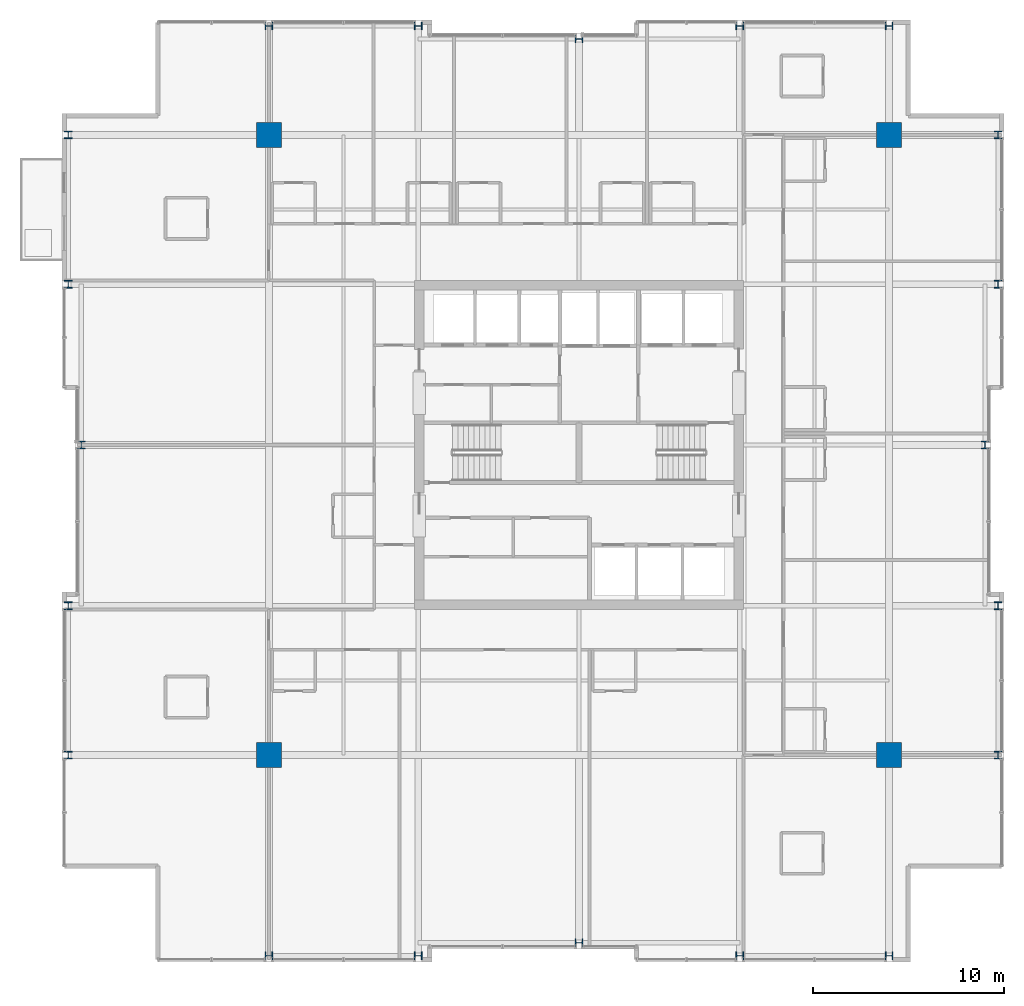
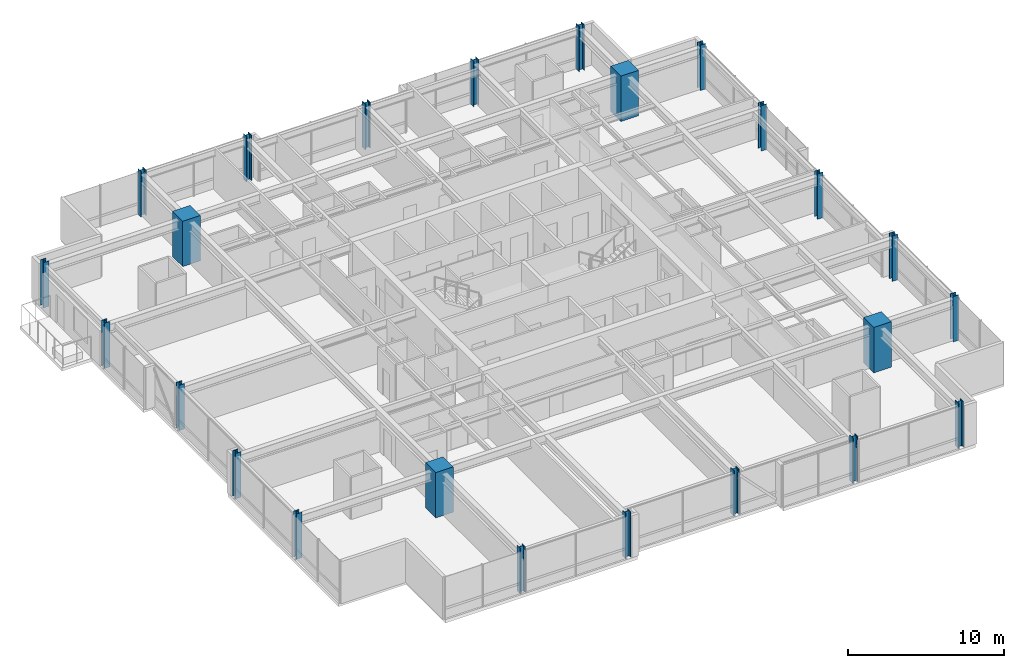
# One storey, part 1 of 32: 24 columns.
"""IFC4 building model written with IfcOpenShell, lengths in metres."""

from ifc_helpers import new_model, si_unit, direction, frame, origin, origin_2d, place, context, subcontext, project, spatial, rectangle, i_section, extrude, material, material_profile, profile_set, type_object, element, save


model = new_model("IFC4")

# Units and contexts
model_context = context("Model", 3, precision=1e-05, world=origin(), true_north=direction((0.0, 1.0)))
body_context = subcontext(model_context, "Body", "Model", "MODEL_VIEW")
ifc_project = project(units=[si_unit("LENGTHUNIT", "METRE"), si_unit("AREAUNIT", "SQUARE_METRE"), si_unit("VOLUMEUNIT", "CUBIC_METRE"), si_unit("PLANEANGLEUNIT", "RADIAN"), si_unit("MASSUNIT", "GRAM", prefix="KILO")], contexts=[model_context])

# Site, building, storey
site_placement = place(None, origin())
site = spatial("IfcSite", under=ifc_project, at=site_placement, CompositionType="ELEMENT")
building_placement = place(site_placement, origin())
building = spatial("IfcBuilding", under=site, at=building_placement, Name="Drelvath Grand Hotel", CompositionType="ELEMENT")
storey_placement = place(building_placement, frame((0.0, 0.0, 189.449951171875)))
storey = spatial("IfcBuildingStorey", under=building, at=storey_placement, Name="L49", CompositionType="ELEMENT", Elevation=189.449951171875)

# Columns
ifc_material_1 = material(Name="Concrete f'c 55 MPa", Category="concrete")
ifc_material_profile_1 = material_profile(ifc_material_1, rectangle(XDim=1.300048828125, YDim=1.300048828125, at=origin_2d()), Name="MC1300X1300")
ifc_profile_set_1 = profile_set([ifc_material_profile_1], Name="Concrete f'c 55 MPa")
column_type_1 = type_object("IfcColumnType", Name="Composite Mega Column MC1300X1300", PredefinedType="COLUMN", material=ifc_profile_set_1)
for number, where, z_axis, x_axis, name in (
    (1, (-16.199951171875, 10.800048828125, 0.0), (0.0, 0.0, 1.0), (1.0, 0.0, 0.0), "L49 Composite Mega Column MC-SW"),
    (2, (16.199951171875, 10.800048828125, 0.0), (0.0, 0.0, 1.0), (1.0, 0.0, 0.0), "L49 Composite Mega Column MC-SE"),
    (3, (-16.199951171875, 43.199951171875, 0.0), (0.0, 0.0, 1.0), (1.0, 0.0, 0.0), "L49 Composite Mega Column MC-NW"),
    (4, (16.199951171875, 43.199951171875, 0.0), (0.0, 0.0, 1.0), (1.0, 0.0, 0.0), "L49 Composite Mega Column MC-NE"),
):
    element("IfcColumn", number, at=place(storey_placement, frame(where, z_axis=z_axis, x_axis=x_axis)), inside=storey, type_object=column_type_1, Name=name, PredefinedType="COLUMN", context=body_context, shape_type="SweptSolid", body=[
        extrude(rectangle(XDim=1.300048828125, YDim=1.300048828125, at=origin_2d()), origin(), (0.0, 0.0, 1.0), 3.550048828125),
    ])
ifc_material_2 = material(Name="Steel ASTM A913 Gr 65", Category="steel")
ifc_material_profile_2 = material_profile(ifc_material_2, i_section(OverallWidth=0.4013671875, OverallDepth=0.3994140625, WebThickness=0.02490234375, FlangeThickness=0.03955078125, FilletRadius=0.02490234375, at=origin_2d()), Name="W14X211")
ifc_profile_set_2 = profile_set([ifc_material_profile_2], Name="Steel ASTM A913 Gr 65")
column_type_2 = type_object("IfcColumnType", Name="Perimeter Steel Column W14X211", PredefinedType="COLUMN", material=ifc_profile_set_2)
for number, where, z_axis, x_axis, name in (
    (5, (-26.679931640625, 10.800048828125, 0.0), (0.0, 0.0, 1.0), (1.0, 0.0, 0.0), "L49 Structural Column TCW-C"),
    (6, (21.8798828125, 10.800048828125, 0.0), (0.0, 0.0, 1.0), (1.0, 0.0, 0.0), "L49 Structural Column TCE-C"),
    (7, (-26.679931640625, 18.60009765625, 0.0), (0.0, 0.0, 1.0), (1.0, 0.0, 0.0), "L49 Structural Column TCW-D"),
    (8, (21.8798828125, 18.60009765625, 0.0), (0.0, 0.0, 1.0), (1.0, 0.0, 0.0), "L49 Structural Column TCE-D"),
    (9, (-26.0, 27.0, 0.0), (0.0, 0.0, 1.0), (1.0, 0.0, 0.0), "L49 Structural Column TCW-E"),
    (10, (21.199951171875, 27.0, 0.0), (0.0, 0.0, 1.0), (1.0, 0.0, 0.0), "L49 Structural Column TCE-E"),
    (11, (-26.679931640625, 35.39990234375, 0.0), (0.0, 0.0, 1.0), (1.0, 0.0, 0.0), "L49 Structural Column TCW-F"),
    (12, (21.8798828125, 35.39990234375, 0.0), (0.0, 0.0, 1.0), (1.0, 0.0, 0.0), "L49 Structural Column TCE-F"),
    (13, (-26.679931640625, 43.199951171875, 0.0), (0.0, 0.0, 1.0), (1.0, 0.0, 0.0), "L49 Structural Column TCW-G"),
    (14, (21.8798828125, 43.199951171875, 0.0), (0.0, 0.0, 1.0), (1.0, 0.0, 0.0), "L49 Structural Column TCE-G"),
    (15, (-16.199951171875, 0.320068359375, 0.0), (0.0, 0.0, 1.0), (0.0, 1.0, 0.0), "L49 Structural Column TCS-3"),
    (16, (-16.199951171875, 48.8798828125, 0.0), (0.0, 0.0, 1.0), (0.0, 1.0, 0.0), "L49 Structural Column TCN-3"),
    (17, (-8.39990234375, 0.320068359375, 0.0), (0.0, 0.0, 1.0), (0.0, 1.0, 0.0), "L49 Structural Column TCS-4"),
    (18, (-8.39990234375, 48.8798828125, 0.0), (0.0, 0.0, 1.0), (0.0, 1.0, 0.0), "L49 Structural Column TCN-4"),
    (19, (0.0, 1.0, 0.0), (0.0, 0.0, 1.0), (0.0, 1.0, 0.0), "L49 Structural Column TCS-5"),
    (20, (0.0, 48.199951171875, 0.0), (0.0, 0.0, 1.0), (0.0, 1.0, 0.0), "L49 Structural Column TCN-5"),
    (21, (8.39990234375, 0.320068359375, 0.0), (0.0, 0.0, 1.0), (0.0, 1.0, 0.0), "L49 Structural Column TCS-6"),
    (22, (8.39990234375, 48.8798828125, 0.0), (0.0, 0.0, 1.0), (0.0, 1.0, 0.0), "L49 Structural Column TCN-6"),
    (23, (16.199951171875, 0.320068359375, 0.0), (0.0, 0.0, 1.0), (0.0, 1.0, 0.0), "L49 Structural Column TCS-7"),
    (24, (16.199951171875, 48.8798828125, 0.0), (0.0, 0.0, 1.0), (0.0, 1.0, 0.0), "L49 Structural Column TCN-7"),
):
    element("IfcColumn", number, at=place(storey_placement, frame(where, z_axis=z_axis, x_axis=x_axis)), inside=storey, type_object=column_type_2, Name=name, PredefinedType="COLUMN", context=body_context, shape_type="SweptSolid", body=[
        extrude(i_section(OverallWidth=0.4013671875, OverallDepth=0.3994140625, WebThickness=0.02490234375, FlangeThickness=0.03955078125, FilletRadius=0.02490234375, at=origin_2d()), origin(), (0.0, 0.0, 1.0), 3.547119140625),
    ])

save(model, "model.ifc")
